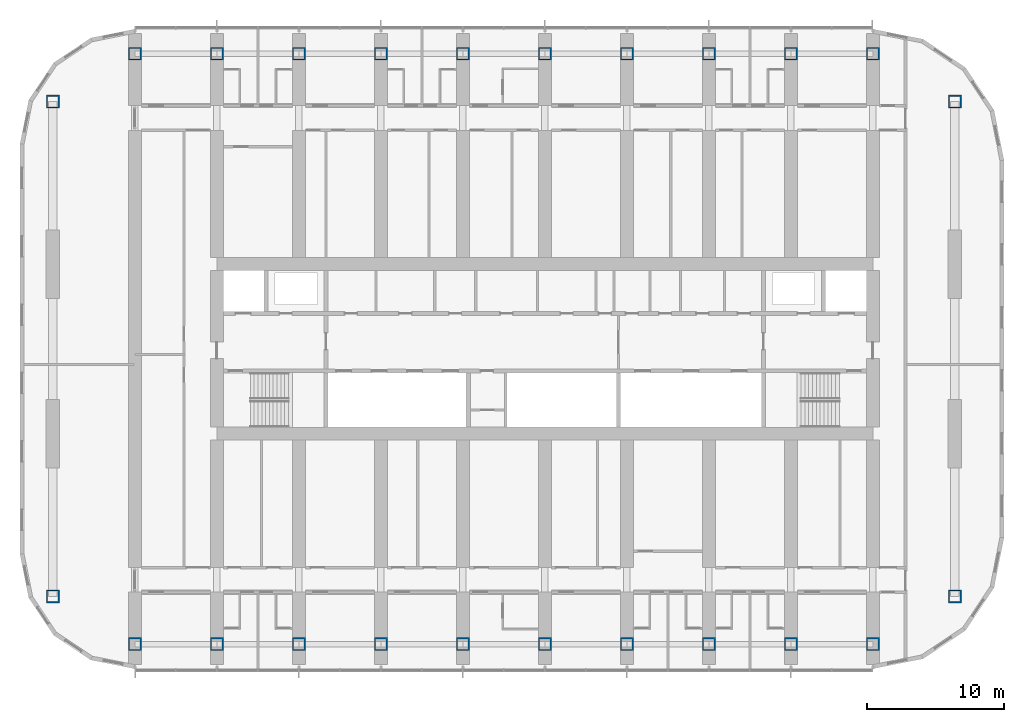
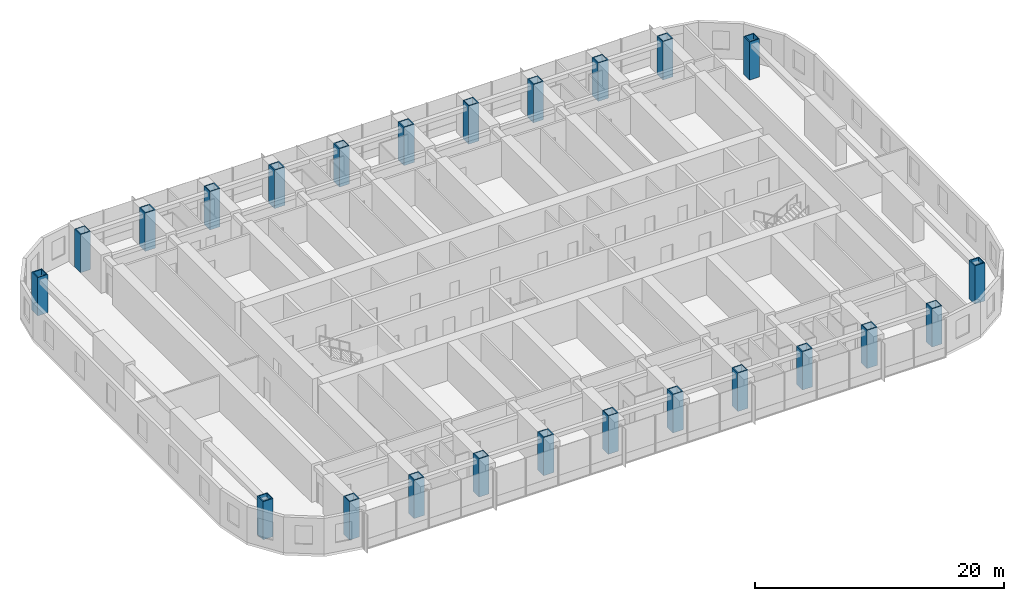
# One storey, part 1 of 21: 24 columns.
"""IFC4 building model written with IfcOpenShell, lengths in metres."""

import ifcopenshell
import ifcopenshell.guid

model = None  # the IFC model being written
_history = None  # IfcOwnerHistory: only IFC2X3 demands one
_inside = {}  # id of a spatial element -> (the spatial element, [elements in it])
_under = {}  # id of a project, library or spatial element -> (it, [spatial elements below it])
_declared = {}  # id of a project -> (the project, [libraries it declares])
_typed = {}  # id of a type object -> (the type object, [elements of that type])
_made_of = {}  # id of a material, layer set ... -> (it, [elements and type objects made of it])


def new_model(schema):
    """Start an empty IFC model of exactly this schema.

    Asked for "IFC4X3", IfcOpenShell would pick the latest addendum, in which some entities
    have other attributes; the version numbers below select the first issue.
    IFC2X3 requires an IfcOwnerHistory on every rooted entity: one is made here for all.
    """
    global model, _history
    if schema == "IFC4X3":
        model = ifcopenshell.file(schema_version=(4, 3, 0, 0))
    else:
        model = ifcopenshell.file(schema=schema)
    _inside.clear()
    _under.clear()
    _declared.clear()
    _typed.clear()
    _made_of.clear()
    _history = None
    if model.schema == "IFC2X3":
        org = make("IfcOrganization", Name="unknown")
        user = make(
            "IfcPersonAndOrganization",
            ThePerson=make("IfcPerson", FamilyName="unknown"),
            TheOrganization=org,
        )
        app = make(
            "IfcApplication",
            ApplicationDeveloper=org,
            Version="unknown",
            ApplicationFullName="unknown",
            ApplicationIdentifier="unknown",
        )
        _history = make(
            "IfcOwnerHistory",
            OwningUser=user,
            OwningApplication=app,
            ChangeAction="ADDED",
            CreationDate=0,
        )
    return model


def make(cls, **values):
    """One entity of the class cls with the attributes given. An attribute that is None is left unset."""
    return model.create_entity(
        cls, **{name: value for name, value in values.items() if value is not None}
    )


def rooted(cls, **values):
    """An entity with a GlobalId (a new one), such as an element, a storey or a relation."""
    return make(cls, GlobalId=ifcopenshell.guid.new(), OwnerHistory=_history, **values)


def si_unit(unit_type, name, prefix=None):
    """IfcSIUnit, for example si_unit("LENGTHUNIT", "METRE", prefix="MILLI")."""
    return make("IfcSIUnit", UnitType=unit_type, Prefix=prefix, Name=name)


def assignment(units):
    """IfcUnitAssignment: the units of a project."""
    return None if units is None else make("IfcUnitAssignment", Units=units)


def point(xyz):
    """IfcCartesianPoint."""
    return None if xyz is None else make("IfcCartesianPoint", Coordinates=xyz)


def direction(xyz):
    """IfcDirection."""
    return None if xyz is None else make("IfcDirection", DirectionRatios=xyz)


def frame(location, z_axis=None, x_axis=None):
    """IfcAxis2Placement3D, a coordinate frame: its origin and axes. An axis left out is left unset."""
    return make(
        "IfcAxis2Placement3D",
        Location=point(location),
        Axis=direction(z_axis),
        RefDirection=direction(x_axis),
    )


def frame_2d(location, x_axis=None):
    """IfcAxis2Placement2D, a coordinate frame in the plane: its origin and x axis."""
    return make(
        "IfcAxis2Placement2D", Location=point(location), RefDirection=direction(x_axis)
    )


def origin():
    """The frame at (0, 0, 0) with its axes left unset."""
    return frame((0.0, 0.0, 0.0))


def origin_2d():
    """The frame at (0, 0) in the plane with its x axis left unset."""
    return frame_2d((0.0, 0.0))


def place(relative_to, where):
    """IfcLocalPlacement: puts the frame where relative to a parent placement (None: the world)."""
    return make(
        "IfcLocalPlacement", PlacementRelTo=relative_to, RelativePlacement=where
    )


def context(
    kind, dimensions, precision=None, world=None, true_north=None, identifier=None
):
    """IfcGeometricRepresentationContext, for example the 3D "Model" context."""
    return make(
        "IfcGeometricRepresentationContext",
        ContextIdentifier=identifier,
        ContextType=kind,
        CoordinateSpaceDimension=dimensions,
        Precision=precision,
        WorldCoordinateSystem=world,
        TrueNorth=true_north,
    )


def subcontext(parent, identifier, kind, view, scale=None):
    """IfcGeometricRepresentationSubContext, for example "Body" below "Model"."""
    return make(
        "IfcGeometricRepresentationSubContext",
        ContextIdentifier=identifier,
        ContextType=kind,
        ParentContext=parent,
        TargetScale=scale,
        TargetView=view,
    )


def project(units=None, contexts=None):
    """IfcProject with its units and contexts."""
    return rooted(
        "IfcProject",
        Name="project",
        RepresentationContexts=contexts,
        UnitsInContext=assignment(units),
    )


def spatial(cls, under=None, at=None, **own):
    """A site, building, storey or space (cls), placed at a placement, below another one or the project."""
    s = rooted(cls, ObjectPlacement=at, **own)
    if under is not None:
        _under.setdefault(under.id(), (under, []))[1].append(s)
    return s


def profile(cls, at=None, kind="AREA", **sizes):
    """A parametric profile (cls). Its sizes go by their IFC names, for example OverallWidth=200.0."""
    return make(cls, ProfileType=kind, Position=at, **sizes)


def hollow_rectangle(**sizes):
    """IfcRectangleHollowProfileDef."""
    return profile("IfcRectangleHollowProfileDef", **sizes)


def extrude(swept, where, along, depth):
    """IfcExtrudedAreaSolid: the profile swept, set in the frame where, extruded along a direction by depth."""
    return make(
        "IfcExtrudedAreaSolid",
        SweptArea=swept,
        Position=where,
        ExtrudedDirection=direction(along),
        Depth=depth,
    )


def shape(context_of_items, identifier, shape_type, items):
    """IfcShapeRepresentation: the items that make up one representation, for example the "Body"."""
    return make(
        "IfcShapeRepresentation",
        ContextOfItems=context_of_items,
        RepresentationIdentifier=identifier,
        RepresentationType=shape_type,
        Items=items,
    )


def material(Name=None, Category=None):
    """IfcMaterial."""
    return make("IfcMaterial", Name=Name, Category=Category)


def material_profile(
    of_material, cross_section, Name=None, Category=None, Priority=None
):
    """IfcMaterialProfile: a cross section and its material."""
    return make(
        "IfcMaterialProfile",
        Name=Name,
        Material=of_material,
        Profile=cross_section,
        Priority=Priority,
        Category=Category,
    )


def profile_set(profiles, Name=None, composite=None):
    """IfcMaterialProfileSet."""
    return make(
        "IfcMaterialProfileSet",
        Name=Name,
        MaterialProfiles=profiles,
        CompositeProfile=composite,
    )


def made_of(thing, what):
    """Note that an element or type object is made of a material, layer set ...; save() writes the relation."""
    if what is not None:
        _made_of.setdefault(what.id(), (what, []))[1].append(thing)
    return thing


def type_object(cls, material=None, **own):
    """A type object (cls), such as IfcWallType, which elements share."""
    return made_of(rooted(cls, **own), material)


def element(
    cls,
    number,
    at=None,
    inside=None,
    cuts=None,
    type_object=None,
    material=None,
    context=None,
    identifier="Body",
    shape_type=None,
    held_by="IfcProductDefinitionShape",
    body=None,
    shapes=None,
    **own,
):
    """One element of the class cls, such as IfcWall. Its Tag is "e" and its number.

    at: its placement. inside: the storey or other place that contains it. cuts: it is an
    opening in that element (IfcRelVoidsElement). A single representation is given by context,
    identifier, shape_type and body (its items); several are given by shapes. held_by: the class
    of the entity that holds the representations. save() writes the other relations.
    """
    e = rooted(cls, Tag="e%d" % number, ObjectPlacement=at, **own)
    if body is not None:
        shapes = [shape(context, identifier, shape_type, body)]
    if shapes is not None:
        e.Representation = make(held_by, Representations=shapes)
    if inside is not None:
        _inside.setdefault(inside.id(), (inside, []))[1].append(e)
    if cuts is not None:
        rooted(
            "IfcRelVoidsElement", RelatingBuildingElement=cuts, RelatedOpeningElement=e
        )
    if type_object is not None:
        _typed.setdefault(type_object.id(), (type_object, []))[1].append(e)
    return made_of(e, material)


def aggregate(whole, parts):
    """IfcRelAggregates: a whole, such as a stair, and the parts it consists of."""
    return rooted("IfcRelAggregates", RelatingObject=whole, RelatedObjects=parts)


def save(model, path):
    """Write the relations noted so far, then the file.

    IfcRelAggregates (storeys below a building ...), IfcRelContainedInSpatialStructure (elements
    in a storey), IfcRelDefinesByType, IfcRelAssociatesMaterial and IfcRelDeclares: one each for
    every whole, place, type object, material and project.
    """
    for whole, parts in _under.values():
        aggregate(whole, parts)
    for where, things in _inside.values():
        rooted(
            "IfcRelContainedInSpatialStructure",
            RelatedElements=things,
            RelatingStructure=where,
        )
    for kind, things in _typed.values():
        rooted("IfcRelDefinesByType", RelatedObjects=things, RelatingType=kind)
    for what, things in _made_of.values():
        rooted("IfcRelAssociatesMaterial", RelatedObjects=things, RelatingMaterial=what)
    for by, libraries in _declared.values():
        rooted("IfcRelDeclares", RelatingContext=by, RelatedDefinitions=libraries)
    model.write(path)


model = new_model("IFC4")

# Units and contexts
model_context = context("Model", 3, precision=1e-05, world=origin(), true_north=direction((0.0, 1.0)))
body_context = subcontext(model_context, "Body", "Model", "MODEL_VIEW")
ifc_project = project(units=[si_unit("LENGTHUNIT", "METRE"), si_unit("AREAUNIT", "SQUARE_METRE"), si_unit("VOLUMEUNIT", "CUBIC_METRE"), si_unit("PLANEANGLEUNIT", "RADIAN"), si_unit("MASSUNIT", "GRAM", prefix="KILO")], contexts=[model_context])

# Site, building, storey
site_placement = place(None, origin())
site = spatial("IfcSite", under=ifc_project, at=site_placement, CompositionType="ELEMENT")
building_placement = place(site_placement, origin())
building = spatial("IfcBuilding", under=site, at=building_placement, Name="Orbita Commons", CompositionType="ELEMENT")
storey_placement = place(building_placement, frame((0.0, 0.0, 125.64990234375)))
storey = spatial("IfcBuildingStorey", under=building, at=storey_placement, Name="L31", CompositionType="ELEMENT", Elevation=125.64990234375)

# Columns
ifc_material = material(Name="Steel ASTM A572 Gr 50 welded plate", Category="steel")
ifc_material_profile = material_profile(ifc_material, hollow_rectangle(XDim=0.949951171875, YDim=0.949951171875, WallThickness=0.094970703125, at=origin_2d()), Name="BOX 950x950x95")
ifc_profile_set = profile_set([ifc_material_profile], Name="Steel ASTM A572 Gr 50 welded plate")
column_type = type_object("IfcColumnType", Name="Steel column BOX 950x950x95", PredefinedType="COLUMN", material=ifc_profile_set)
for number, where, z_axis, x_axis, name in (
    (1, (12.0, 10.39990234375, 0.0), (0.0, 0.0, 1.0), (1.0, 0.0, 0.0), "Column 3/B L31"),
    (2, (12.0, 53.60009765625, 0.0), (0.0, 0.0, 1.0), (1.0, 0.0, 0.0), "Column 3/E L31"),
    (3, (18.0, 10.39990234375, 0.0), (0.0, 0.0, 1.0), (1.0, 0.0, 0.0), "Column 4/B L31"),
    (4, (18.0, 53.60009765625, 0.0), (0.0, 0.0, 1.0), (1.0, 0.0, 0.0), "Column 4/E L31"),
    (5, (24.0, 10.39990234375, 0.0), (0.0, 0.0, 1.0), (1.0, 0.0, 0.0), "Column 5/B L31"),
    (6, (24.0, 53.60009765625, 0.0), (0.0, 0.0, 1.0), (1.0, 0.0, 0.0), "Column 5/E L31"),
    (7, (30.0, 10.39990234375, 0.0), (0.0, 0.0, 1.0), (1.0, 0.0, 0.0), "Column 6/B L31"),
    (8, (30.0, 53.60009765625, 0.0), (0.0, 0.0, 1.0), (1.0, 0.0, 0.0), "Column 6/E L31"),
    (9, (36.0, 10.39990234375, 0.0), (0.0, 0.0, 1.0), (1.0, 0.0, 0.0), "Column 7/B L31"),
    (10, (36.0, 53.60009765625, 0.0), (0.0, 0.0, 1.0), (1.0, 0.0, 0.0), "Column 7/E L31"),
    (11, (42.0, 10.39990234375, 0.0), (0.0, 0.0, 1.0), (1.0, 0.0, 0.0), "Column 8/B L31"),
    (12, (42.0, 53.60009765625, 0.0), (0.0, 0.0, 1.0), (1.0, 0.0, 0.0), "Column 8/E L31"),
    (13, (48.0, 10.39990234375, 0.0), (0.0, 0.0, 1.0), (1.0, 0.0, 0.0), "Column 9/B L31"),
    (14, (48.0, 53.60009765625, 0.0), (0.0, 0.0, 1.0), (1.0, 0.0, 0.0), "Column 9/E L31"),
    (15, (54.0, 10.39990234375, 0.0), (0.0, 0.0, 1.0), (1.0, 0.0, 0.0), "Column 10/B L31"),
    (16, (54.0, 53.60009765625, 0.0), (0.0, 0.0, 1.0), (1.0, 0.0, 0.0), "Column 10/E L31"),
    (17, (60.0, 10.39990234375, 0.0), (0.0, 0.0, 1.0), (1.0, 0.0, 0.0), "Column 11/B L31"),
    (18, (60.0, 53.60009765625, 0.0), (0.0, 0.0, 1.0), (1.0, 0.0, 0.0), "Column 11/E L31"),
    (19, (66.0, 10.39990234375, 0.0), (0.0, 0.0, 1.0), (1.0, 0.0, 0.0), "Column 12/B L31"),
    (20, (66.0, 53.60009765625, 0.0), (0.0, 0.0, 1.0), (1.0, 0.0, 0.0), "Column 12/E L31"),
    (21, (6.0, 13.89990234375, 0.0), (0.0, 0.0, 1.0), (1.0, 0.0, 0.0), "Column 2/13.9 L31"),
    (22, (6.0, 50.10009765625, 0.0), (0.0, 0.0, 1.0), (1.0, 0.0, 0.0), "Column 2/50.1 L31"),
    (23, (72.0, 13.89990234375, 0.0), (0.0, 0.0, 1.0), (1.0, 0.0, 0.0), "Column 13/13.9 L31"),
    (24, (72.0, 50.10009765625, 0.0), (0.0, 0.0, 1.0), (1.0, 0.0, 0.0), "Column 13/50.1 L31"),
):
    element("IfcColumn", number, at=place(storey_placement, frame(where, z_axis=z_axis, x_axis=x_axis)), inside=storey, type_object=column_type, Name=name, PredefinedType="COLUMN", context=body_context, shape_type="SweptSolid", body=[
        extrude(hollow_rectangle(XDim=0.949951171875, YDim=0.949951171875, WallThickness=0.094970703125, at=origin_2d()), origin(), (0.0, 0.0, 1.0), 3.75),
    ])

save(model, "model.ifc")
